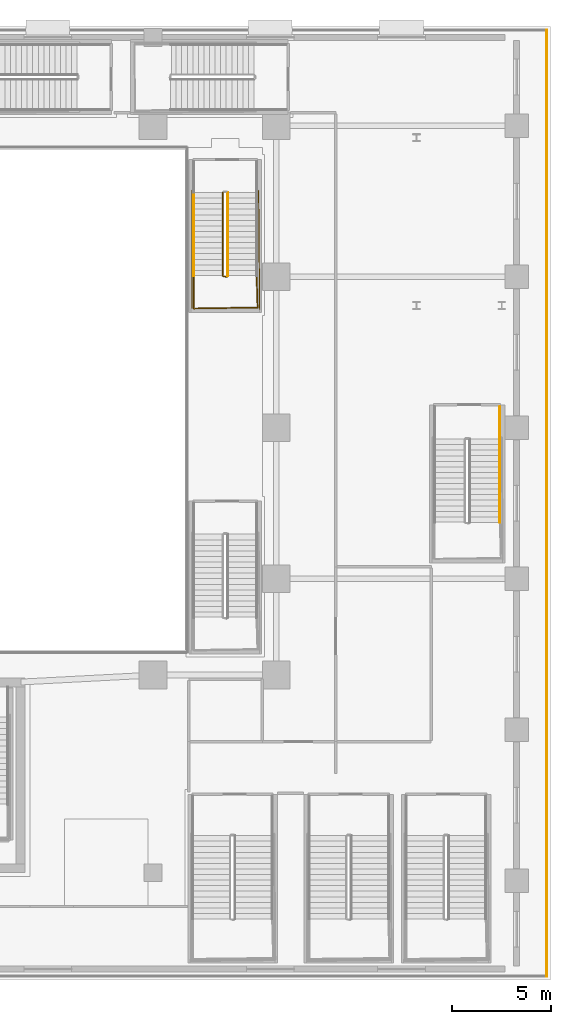
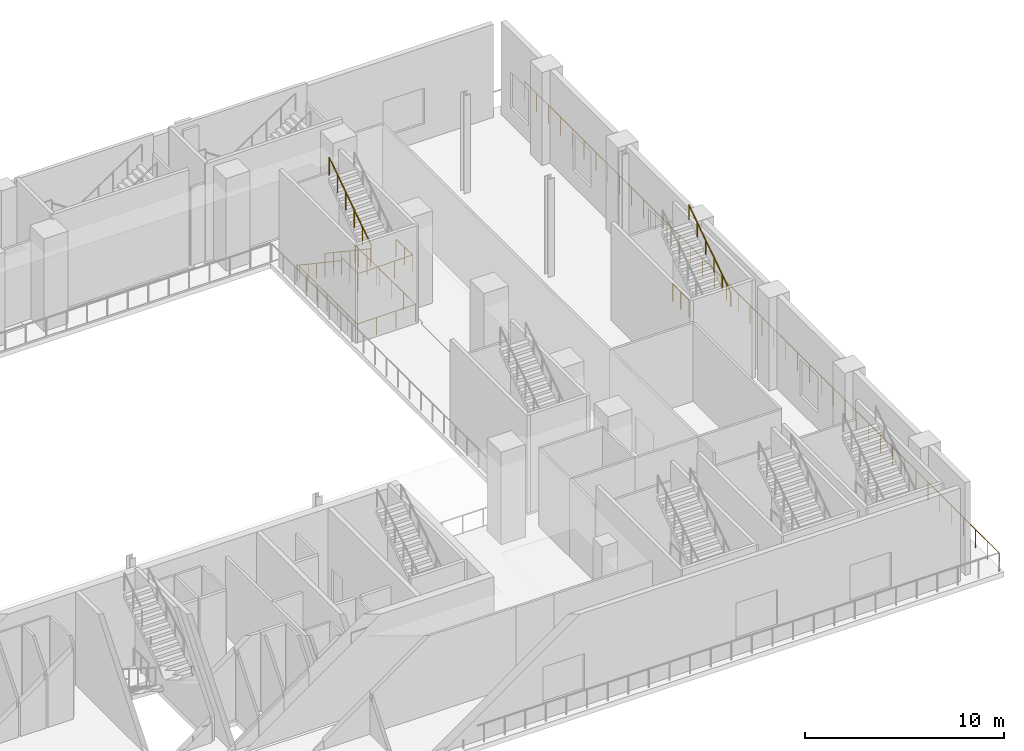
# One storey, part 28 of 29: 8 railings.
"""IFC4 building model written with IfcOpenShell, lengths in metres."""

from ifc_helpers import new_model, si_unit, direction, frame, origin, origin_2d, place, context, subcontext, project, spatial, circle, extrude, material, layer, layer_set, type_object, element, save


model = new_model("IFC4")

# Units and contexts
model_context = context("Model", 3, precision=1e-05, world=origin(), true_north=direction((0.0, 1.0)))
body_context = subcontext(model_context, "Body", "Model", "MODEL_VIEW")
ifc_project = project(units=[si_unit("LENGTHUNIT", "METRE"), si_unit("AREAUNIT", "SQUARE_METRE"), si_unit("VOLUMEUNIT", "CUBIC_METRE"), si_unit("PLANEANGLEUNIT", "RADIAN"), si_unit("MASSUNIT", "GRAM", prefix="KILO")], contexts=[model_context])

# Site, building, storey
site_placement = place(None, origin())
site = spatial("IfcSite", under=ifc_project, at=site_placement, CompositionType="ELEMENT")
building_placement = place(site_placement, origin())
building = spatial("IfcBuilding", under=site, at=building_placement, Name="Ndaravel Arena Tower", CompositionType="ELEMENT")
storey_placement = place(building_placement, frame((0.0, 0.0, 12.0)))
storey = spatial("IfcBuildingStorey", under=building, at=storey_placement, Name="L02", CompositionType="ELEMENT", Elevation=12.0)

# Railings
ifc_material_1 = material(Name="Steel S355", Category="steel")
ifc_layer_1 = layer(ifc_material_1, 0.06005859375)
ifc_layer_set_1 = layer_set([ifc_layer_1], Name="Steel S355")
railing_type_1 = type_object("IfcRailingType", Name="RAIL-STAIR-GD1100", PredefinedType="GUARDRAIL", material=ifc_layer_set_1)
railing_1_placement = place(storey_placement, frame((81.449951171875, 28.85009765625, 0.0)))
element("IfcRailing", 1, at=railing_1_placement, inside=storey, type_object=railing_type_1, Name="L02 ST-A12 stair guard 6", PredefinedType="GUARDRAIL", context=body_context, shape_type="SweptSolid", body=[
    extrude(circle(Radius=0.02392578125, at=origin_2d()), frame((0.0, 0.0, 1.076171875), z_axis=(0.0, -1.0, 0.0), x_axis=(1.0, 0.0, 0.0)), (0.0, 0.0, 1.0), 1.6201171875),
    extrude(circle(Radius=0.02099609375, at=origin_2d()), origin(), (0.0, 0.0, 1.0), 1.052001953125),
    extrude(circle(Radius=0.02099609375, at=origin_2d()), frame((0.0, -0.81005859375, 0.0)), (0.0, 0.0, 1.0), 1.052001953125),
    extrude(circle(Radius=0.02099609375, at=origin_2d()), frame((0.0, -1.6201171875, 0.0)), (0.0, 0.0, 1.0), 1.052001953125),
])
railing_2_placement = place(storey_placement, frame((67.510009765625, 39.639892578125, 0.1875)))
element("IfcRailing", 2, at=railing_2_placement, inside=storey, type_object=railing_type_1, Name="L02 ST-VOM-4 stair guard 1", PredefinedType="GUARDRAIL", context=body_context, shape_type="SweptSolid", body=[
    extrude(circle(Radius=0.02392578125, at=origin_2d()), frame((0.0, 0.0, 1.076171875), z_axis=(0.0, -0.830904186295, 0.556415522067), x_axis=(1.0, 0.0, 0.0)), (0.0, 0.0, 1.0), 5.0546875),
    extrude(circle(Radius=0.02392578125, at=origin_2d()), frame((0.0, -4.199951171875, 3.888671875), z_axis=(0.966993988697, -0.254799187253, 0.0), x_axis=(0.254799187253, 0.966993988697, 0.0)), (0.0, 0.0, 1.0), 0.196533203125),
    extrude(circle(Radius=0.02099609375, at=origin_2d()), origin(), (0.0, 0.0, 1.0), 1.052001953125),
    extrude(circle(Radius=0.02099609375, at=origin_2d()), frame((0.0, -0.840087890625, 0.5625)), (0.0, 0.0, 1.0), 1.052001953125),
    extrude(circle(Radius=0.02099609375, at=origin_2d()), frame((0.0, -1.679931640625, 1.125)), (0.0, 0.0, 1.0), 1.052001953125),
    extrude(circle(Radius=0.02099609375, at=origin_2d()), frame((0.0, -2.52001953125, 1.6875)), (0.0, 0.0, 1.0), 1.052001953125),
    extrude(circle(Radius=0.02099609375, at=origin_2d()), frame((0.0, -3.35986328125, 2.25)), (0.0, 0.0, 1.0), 1.052001953125),
    extrude(circle(Radius=0.02099609375, at=origin_2d()), frame((0.0, -4.199951171875, 2.8125)), (0.0, 0.0, 1.0), 1.052001953125),
    extrude(circle(Radius=0.02099609375, at=origin_2d()), frame((0.18994140625, -4.25, 2.8125)), (0.0, 0.0, 1.0), 1.052001953125),
])
railing_3_placement = place(storey_placement, frame((66.050048828125, 35.43994140625, 3.0)))
element("IfcRailing", 3, at=railing_3_placement, inside=storey, type_object=railing_type_1, Name="L02 ST-VOM-4 stair guard 2", PredefinedType="GUARDRAIL", context=body_context, shape_type="SweptSolid", body=[
    extrude(circle(Radius=0.02392578125, at=origin_2d()), frame((0.0, 0.0, 1.076171875), z_axis=(0.0, -1.0, 0.0), x_axis=(1.0, 0.0, 0.0)), (0.0, 0.0, 1.0), 1.639892578125),
    extrude(circle(Radius=0.02392578125, at=origin_2d()), frame((0.0, -1.639892578125, 1.076171875), z_axis=(0.999878471214, 0.015589830134, 0.0), x_axis=(-0.015589830134, 0.999878471214, 0.0)), (0.0, 0.0, 1.0), 3.21044921875),
    extrude(circle(Radius=0.02392578125, at=origin_2d()), frame((3.2099609375, -1.58984375, 1.076171875), z_axis=(-0.031464756864, 0.999504861957, 0.0), x_axis=(-0.999504861957, -0.031464756864, 0.0)), (0.0, 0.0, 1.0), 1.590576171875),
    extrude(circle(Radius=0.02099609375, at=origin_2d()), origin(), (0.0, 0.0, 1.0), 1.052001953125),
    extrude(circle(Radius=0.02099609375, at=origin_2d()), frame((0.0, -0.81982421875, 0.0)), (0.0, 0.0, 1.0), 1.052001953125),
    extrude(circle(Radius=0.02099609375, at=origin_2d()), frame((0.0, -1.639892578125, 0.0)), (0.0, 0.0, 1.0), 1.052001953125),
    extrude(circle(Radius=0.02099609375, at=origin_2d()), frame((1.070068359375, -1.623291015625, 0.0)), (0.0, 0.0, 1.0), 1.052001953125),
    extrude(circle(Radius=0.02099609375, at=origin_2d()), frame((2.139892578125, -1.6064453125, 0.0)), (0.0, 0.0, 1.0), 1.052001953125),
    extrude(circle(Radius=0.02099609375, at=origin_2d()), frame((3.2099609375, -1.58984375, 0.0)), (0.0, 0.0, 1.0), 1.052001953125),
    extrude(circle(Radius=0.02099609375, at=origin_2d()), frame((3.18505859375, -0.794921875, 0.0)), (0.0, 0.0, 1.0), 1.052001953125),
    extrude(circle(Radius=0.02099609375, at=origin_2d()), frame((3.159912109375, 0.0, 0.0)), (0.0, 0.0, 1.0), 1.052001953125),
])
railing_4_placement = place(storey_placement, frame((67.75, 35.43994140625, 3.1875)))
element("IfcRailing", 4, at=railing_4_placement, inside=storey, type_object=railing_type_1, Name="L02 ST-VOM-4 stair guard 3", PredefinedType="GUARDRAIL", context=body_context, shape_type="SweptSolid", body=[
    extrude(circle(Radius=0.02392578125, at=origin_2d()), frame((0.0, 0.0, 1.076171875), z_axis=(0.0, 0.830904186295, 0.556415522067), x_axis=(-1.0, 0.0, 0.0)), (0.0, 0.0, 1.0), 5.0546875),
    extrude(circle(Radius=0.02099609375, at=origin_2d()), origin(), (0.0, 0.0, 1.0), 1.052001953125),
    extrude(circle(Radius=0.02099609375, at=origin_2d()), frame((0.0, 0.840087890625, 0.5625)), (0.0, 0.0, 1.0), 1.052001953125),
    extrude(circle(Radius=0.02099609375, at=origin_2d()), frame((0.0, 1.679931640625, 1.125)), (0.0, 0.0, 1.0), 1.052001953125),
    extrude(circle(Radius=0.02099609375, at=origin_2d()), frame((0.0, 2.52001953125, 1.6875)), (0.0, 0.0, 1.0), 1.052001953125),
    extrude(circle(Radius=0.02099609375, at=origin_2d()), frame((0.0, 3.35986328125, 2.25)), (0.0, 0.0, 1.0), 1.052001953125),
    extrude(circle(Radius=0.02099609375, at=origin_2d()), frame((0.0, 4.199951171875, 2.8125)), (0.0, 0.0, 1.0), 1.052001953125),
])
railing_5_placement = place(storey_placement, frame((65.949951171875, 39.739990234375, 0.0)))
element("IfcRailing", 5, at=railing_5_placement, inside=storey, type_object=railing_type_1, Name="L02 ST-VOM-4 stair guard 7", PredefinedType="GUARDRAIL", context=body_context, shape_type="SweptSolid", body=[
    extrude(circle(Radius=0.02392578125, at=origin_2d()), frame((0.0, 0.0, 1.076171875), z_axis=(0.0, -1.0, 0.0), x_axis=(1.0, 0.0, 0.0)), (0.0, 0.0, 1.0), 6.0400390625),
    extrude(circle(Radius=0.02392578125, at=origin_2d()), frame((0.0, -6.0400390625, 1.076171875), z_axis=(0.99989231899, 0.014674822837, 0.0), x_axis=(-0.014674822837, 0.99989231899, 0.0)), (0.0, 0.0, 1.0), 3.41064453125),
    extrude(circle(Radius=0.02392578125, at=origin_2d()), frame((3.41015625, -5.989990234375, 1.076171875), z_axis=(-0.008355118995, 0.999965095384, 0.0), x_axis=(-0.999965095384, -0.008355118995, 0.0)), (0.0, 0.0, 1.0), 5.990234375),
    extrude(circle(Radius=0.02099609375, at=origin_2d()), origin(), (0.0, 0.0, 1.0), 1.052001953125),
    extrude(circle(Radius=0.02099609375, at=origin_2d()), frame((0.0, -1.006591796875, 0.0)), (0.0, 0.0, 1.0), 1.052001953125),
    extrude(circle(Radius=0.02099609375, at=origin_2d()), frame((0.0, -2.013427734375, 0.0)), (0.0, 0.0, 1.0), 1.052001953125),
    extrude(circle(Radius=0.02099609375, at=origin_2d()), frame((0.0, -3.02001953125, 0.0)), (0.0, 0.0, 1.0), 1.052001953125),
    extrude(circle(Radius=0.02099609375, at=origin_2d()), frame((0.0, -4.026611328125, 0.0)), (0.0, 0.0, 1.0), 1.052001953125),
    extrude(circle(Radius=0.02099609375, at=origin_2d()), frame((0.0, -5.033447265625, 0.0)), (0.0, 0.0, 1.0), 1.052001953125),
    extrude(circle(Radius=0.02099609375, at=origin_2d()), frame((0.0, -6.0400390625, 0.0)), (0.0, 0.0, 1.0), 1.052001953125),
    extrude(circle(Radius=0.02099609375, at=origin_2d()), frame((1.13671875, -6.0234375, 0.0)), (0.0, 0.0, 1.0), 1.052001953125),
    extrude(circle(Radius=0.02099609375, at=origin_2d()), frame((2.2734375, -6.006591796875, 0.0)), (0.0, 0.0, 1.0), 1.052001953125),
    extrude(circle(Radius=0.02099609375, at=origin_2d()), frame((3.41015625, -5.989990234375, 0.0)), (0.0, 0.0, 1.0), 1.052001953125),
    extrude(circle(Radius=0.02099609375, at=origin_2d()), frame((3.400146484375, -4.7919921875, 0.0)), (0.0, 0.0, 1.0), 1.052001953125),
    extrude(circle(Radius=0.02099609375, at=origin_2d()), frame((3.39013671875, -3.593994140625, 0.0)), (0.0, 0.0, 1.0), 1.052001953125),
    extrude(circle(Radius=0.02099609375, at=origin_2d()), frame((3.380126953125, -2.39599609375, 0.0)), (0.0, 0.0, 1.0), 1.052001953125),
    extrude(circle(Radius=0.02099609375, at=origin_2d()), frame((3.3701171875, -1.197998046875, 0.0)), (0.0, 0.0, 1.0), 1.052001953125),
    extrude(circle(Radius=0.02099609375, at=origin_2d()), frame((3.360107421875, 0.0, 0.0)), (0.0, 0.0, 1.0), 1.052001953125),
])
ifc_material_2 = material(Name="Steel S355", Category="steel")
ifc_layer_2 = layer(ifc_material_2, 0.050048828125)
ifc_layer_set_2 = layer_set([ifc_layer_2], Name="Steel S355")
railing_type_2 = type_object("IfcRailingType", Name="RAIL-STAIR-HR920", PredefinedType="HANDRAIL", material=ifc_layer_set_2)
railing_6_placement = place(storey_placement, frame((81.449951171875, 23.030029296875, 3.1875)))
element("IfcRailing", 6, at=railing_6_placement, inside=storey, type_object=railing_type_2, Name="L02 ST-A12 stair handrail 2", PredefinedType="HANDRAIL", context=body_context, shape_type="SweptSolid", body=[
    extrude(circle(Radius=0.02392578125, at=origin_2d()), frame((0.0, 0.0, 0.8759765625), z_axis=(0.0, 0.830904186295, 0.556415522067), x_axis=(-1.0, 0.0, 0.0)), (0.0, 0.0, 1.0), 5.0546875),
    extrude(circle(Radius=0.02099609375, at=origin_2d()), origin(), (0.0, 0.0, 1.0), 0.851806640625),
    extrude(circle(Radius=0.02099609375, at=origin_2d()), frame((0.0, 0.840087890625, 0.5625)), (0.0, 0.0, 1.0), 0.851806640625),
    extrude(circle(Radius=0.02099609375, at=origin_2d()), frame((0.0, 1.679931640625, 1.125)), (0.0, 0.0, 1.0), 0.851806640625),
    extrude(circle(Radius=0.02099609375, at=origin_2d()), frame((0.0, 2.52001953125, 1.6875)), (0.0, 0.0, 1.0), 0.851806640625),
    extrude(circle(Radius=0.02099609375, at=origin_2d()), frame((0.0, 3.35986328125, 2.25)), (0.0, 0.0, 1.0), 0.851806640625),
    extrude(circle(Radius=0.02099609375, at=origin_2d()), frame((0.0, 4.199951171875, 2.8125)), (0.0, 0.0, 1.0), 0.851806640625),
])
railing_7_placement = place(storey_placement, frame((66.050048828125, 39.639892578125, 0.1875)))
element("IfcRailing", 7, at=railing_7_placement, inside=storey, type_object=railing_type_2, Name="L02 ST-VOM-4 stair handrail 1", PredefinedType="HANDRAIL", context=body_context, shape_type="SweptSolid", body=[
    extrude(circle(Radius=0.02392578125, at=origin_2d()), frame((0.0, 0.0, 0.8759765625), z_axis=(0.0, -0.830904186295, 0.556415522067), x_axis=(1.0, 0.0, 0.0)), (0.0, 0.0, 1.0), 5.0546875),
    extrude(circle(Radius=0.02099609375, at=origin_2d()), origin(), (0.0, 0.0, 1.0), 0.851806640625),
    extrude(circle(Radius=0.02099609375, at=origin_2d()), frame((0.0, -0.840087890625, 0.5625)), (0.0, 0.0, 1.0), 0.851806640625),
    extrude(circle(Radius=0.02099609375, at=origin_2d()), frame((0.0, -1.679931640625, 1.125)), (0.0, 0.0, 1.0), 0.851806640625),
    extrude(circle(Radius=0.02099609375, at=origin_2d()), frame((0.0, -2.52001953125, 1.6875)), (0.0, 0.0, 1.0), 0.851806640625),
    extrude(circle(Radius=0.02099609375, at=origin_2d()), frame((0.0, -3.35986328125, 2.25)), (0.0, 0.0, 1.0), 0.851806640625),
    extrude(circle(Radius=0.02099609375, at=origin_2d()), frame((0.0, -4.199951171875, 2.8125)), (0.0, 0.0, 1.0), 0.851806640625),
])
ifc_material_3 = material(Name="Glazing", Category="glass")
ifc_layer_3 = layer(ifc_material_3, 0.070068359375)
ifc_layer_set_3 = layer_set([ifc_layer_3], Name="Glazing")
railing_type_3 = type_object("IfcRailingType", Name="RAIL-TERRACE-1150", PredefinedType="BALUSTRADE", material=ifc_layer_set_3)
railing_8_placement = place(storey_placement, frame((83.820068359375, 0.179931640625, 0.0)))
element("IfcRailing", 8, at=railing_8_placement, inside=storey, type_object=railing_type_3, Name="L02 Podium Perimeter Edge Guard 2", PredefinedType="BALUSTRADE", context=body_context, shape_type="SweptSolid", body=[
    extrude(circle(Radius=0.02392578125, at=origin_2d()), frame((0.0, 0.0, 1.1259765625), z_axis=(0.0, 1.0, 0.0), x_axis=(-1.0, 0.0, 0.0)), (0.0, 0.0, 1.0), 47.64013671875),
    extrude(circle(Radius=0.02099609375, at=origin_2d()), origin(), (0.0, 0.0, 1.0), 1.101806640625),
    extrude(circle(Radius=0.02099609375, at=origin_2d()), frame((0.0, 1.19091796875, 0.0)), (0.0, 0.0, 1.0), 1.101806640625),
    extrude(circle(Radius=0.02099609375, at=origin_2d()), frame((0.0, 2.382080078125, 0.0)), (0.0, 0.0, 1.0), 1.101806640625),
    extrude(circle(Radius=0.02099609375, at=origin_2d()), frame((0.0, 3.572998046875, 0.0)), (0.0, 0.0, 1.0), 1.101806640625),
    extrude(circle(Radius=0.02099609375, at=origin_2d()), frame((0.0, 4.763916015625, 0.0)), (0.0, 0.0, 1.0), 1.101806640625),
    extrude(circle(Radius=0.02099609375, at=origin_2d()), frame((0.0, 5.955078125, 0.0)), (0.0, 0.0, 1.0), 1.101806640625),
    extrude(circle(Radius=0.02099609375, at=origin_2d()), frame((0.0, 7.14599609375, 0.0)), (0.0, 0.0, 1.0), 1.101806640625),
    extrude(circle(Radius=0.02099609375, at=origin_2d()), frame((0.0, 8.3369140625, 0.0)), (0.0, 0.0, 1.0), 1.101806640625),
    extrude(circle(Radius=0.02099609375, at=origin_2d()), frame((0.0, 9.528076171875, 0.0)), (0.0, 0.0, 1.0), 1.101806640625),
    extrude(circle(Radius=0.02099609375, at=origin_2d()), frame((0.0, 10.718994140625, 0.0)), (0.0, 0.0, 1.0), 1.101806640625),
    extrude(circle(Radius=0.02099609375, at=origin_2d()), frame((0.0, 11.91015625, 0.0)), (0.0, 0.0, 1.0), 1.101806640625),
    extrude(circle(Radius=0.02099609375, at=origin_2d()), frame((0.0, 13.10107421875, 0.0)), (0.0, 0.0, 1.0), 1.101806640625),
    extrude(circle(Radius=0.02099609375, at=origin_2d()), frame((0.0, 14.2919921875, 0.0)), (0.0, 0.0, 1.0), 1.101806640625),
    extrude(circle(Radius=0.02099609375, at=origin_2d()), frame((0.0, 15.483154296875, 0.0)), (0.0, 0.0, 1.0), 1.101806640625),
    extrude(circle(Radius=0.02099609375, at=origin_2d()), frame((0.0, 16.674072265625, 0.0)), (0.0, 0.0, 1.0), 1.101806640625),
    extrude(circle(Radius=0.02099609375, at=origin_2d()), frame((0.0, 17.864990234375, 0.0)), (0.0, 0.0, 1.0), 1.101806640625),
    extrude(circle(Radius=0.02099609375, at=origin_2d()), frame((0.0, 19.05615234375, 0.0)), (0.0, 0.0, 1.0), 1.101806640625),
    extrude(circle(Radius=0.02099609375, at=origin_2d()), frame((0.0, 20.2470703125, 0.0)), (0.0, 0.0, 1.0), 1.101806640625),
    extrude(circle(Radius=0.02099609375, at=origin_2d()), frame((0.0, 21.43798828125, 0.0)), (0.0, 0.0, 1.0), 1.101806640625),
    extrude(circle(Radius=0.02099609375, at=origin_2d()), frame((0.0, 22.629150390625, 0.0)), (0.0, 0.0, 1.0), 1.101806640625),
    extrude(circle(Radius=0.02099609375, at=origin_2d()), frame((0.0, 23.820068359375, 0.0)), (0.0, 0.0, 1.0), 1.101806640625),
    extrude(circle(Radius=0.02099609375, at=origin_2d()), frame((0.0, 25.010986328125, 0.0)), (0.0, 0.0, 1.0), 1.101806640625),
    extrude(circle(Radius=0.02099609375, at=origin_2d()), frame((0.0, 26.2021484375, 0.0)), (0.0, 0.0, 1.0), 1.101806640625),
    extrude(circle(Radius=0.02099609375, at=origin_2d()), frame((0.0, 27.39306640625, 0.0)), (0.0, 0.0, 1.0), 1.101806640625),
    extrude(circle(Radius=0.02099609375, at=origin_2d()), frame((0.0, 28.583984375, 0.0)), (0.0, 0.0, 1.0), 1.101806640625),
    extrude(circle(Radius=0.02099609375, at=origin_2d()), frame((0.0, 29.775146484375, 0.0)), (0.0, 0.0, 1.0), 1.101806640625),
    extrude(circle(Radius=0.02099609375, at=origin_2d()), frame((0.0, 30.966064453125, 0.0)), (0.0, 0.0, 1.0), 1.101806640625),
    extrude(circle(Radius=0.02099609375, at=origin_2d()), frame((0.0, 32.156982421875, 0.0)), (0.0, 0.0, 1.0), 1.101806640625),
    extrude(circle(Radius=0.02099609375, at=origin_2d()), frame((0.0, 33.34814453125, 0.0)), (0.0, 0.0, 1.0), 1.101806640625),
    extrude(circle(Radius=0.02099609375, at=origin_2d()), frame((0.0, 34.5390625, 0.0)), (0.0, 0.0, 1.0), 1.101806640625),
    extrude(circle(Radius=0.02099609375, at=origin_2d()), frame((0.0, 35.72998046875, 0.0)), (0.0, 0.0, 1.0), 1.101806640625),
    extrude(circle(Radius=0.02099609375, at=origin_2d()), frame((0.0, 36.921142578125, 0.0)), (0.0, 0.0, 1.0), 1.101806640625),
    extrude(circle(Radius=0.02099609375, at=origin_2d()), frame((0.0, 38.112060546875, 0.0)), (0.0, 0.0, 1.0), 1.101806640625),
    extrude(circle(Radius=0.02099609375, at=origin_2d()), frame((0.0, 39.30322265625, 0.0)), (0.0, 0.0, 1.0), 1.101806640625),
    extrude(circle(Radius=0.02099609375, at=origin_2d()), frame((0.0, 40.494140625, 0.0)), (0.0, 0.0, 1.0), 1.101806640625),
    extrude(circle(Radius=0.02099609375, at=origin_2d()), frame((0.0, 41.68505859375, 0.0)), (0.0, 0.0, 1.0), 1.101806640625),
    extrude(circle(Radius=0.02099609375, at=origin_2d()), frame((0.0, 42.876220703125, 0.0)), (0.0, 0.0, 1.0), 1.101806640625),
    extrude(circle(Radius=0.02099609375, at=origin_2d()), frame((0.0, 44.067138671875, 0.0)), (0.0, 0.0, 1.0), 1.101806640625),
    extrude(circle(Radius=0.02099609375, at=origin_2d()), frame((0.0, 45.258056640625, 0.0)), (0.0, 0.0, 1.0), 1.101806640625),
    extrude(circle(Radius=0.02099609375, at=origin_2d()), frame((0.0, 46.44921875, 0.0)), (0.0, 0.0, 1.0), 1.101806640625),
    extrude(circle(Radius=0.02099609375, at=origin_2d()), frame((0.0, 47.64013671875, 0.0)), (0.0, 0.0, 1.0), 1.101806640625),
])

save(model, "model.ifc")
